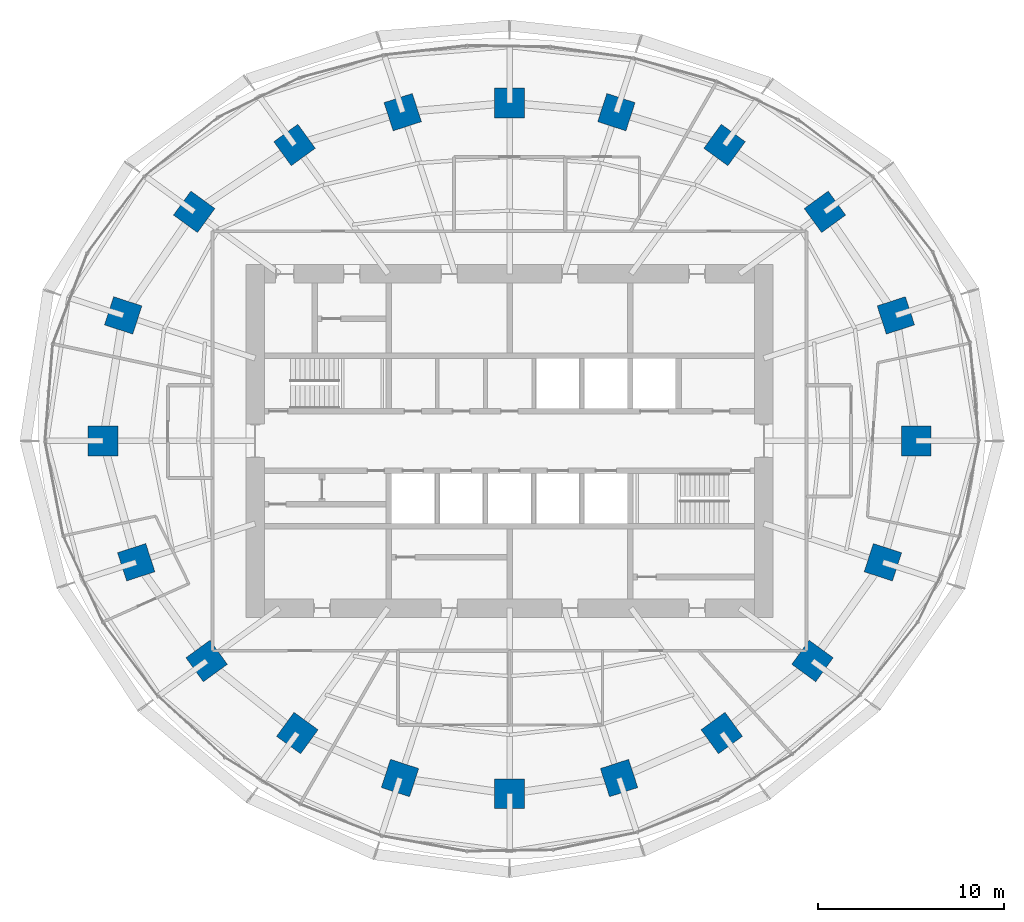
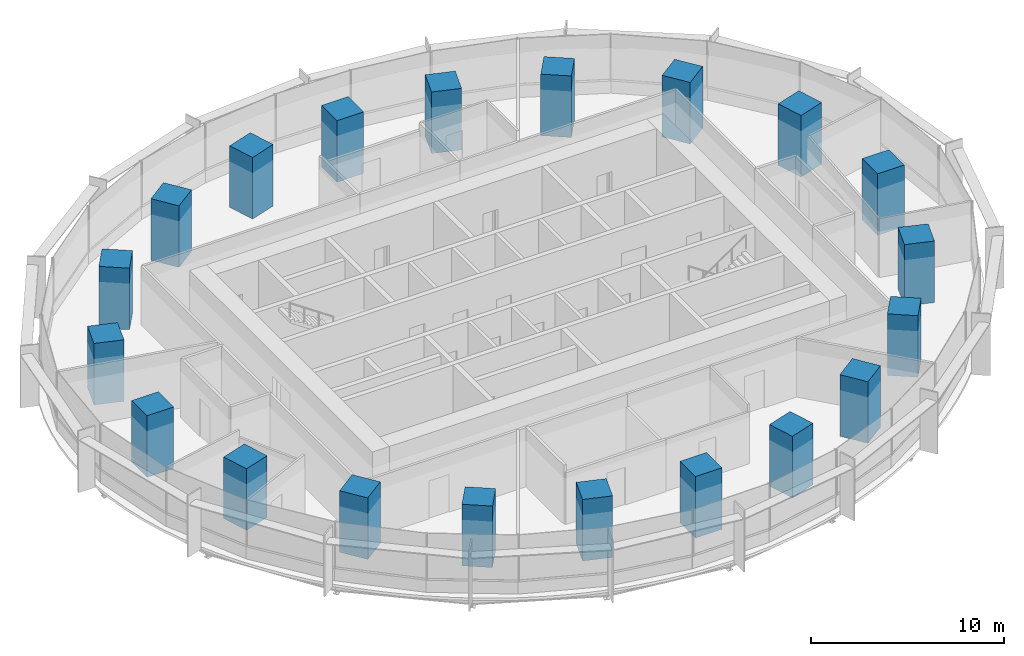
# One storey, part 1 of 14: 20 columns.
"""IFC4 building model written with IfcOpenShell, lengths in metres."""

import ifcopenshell
import ifcopenshell.guid

model = None  # the IFC model being written
_history = None  # IfcOwnerHistory: only IFC2X3 demands one
_inside = {}  # id of a spatial element -> (the spatial element, [elements in it])
_under = {}  # id of a project, library or spatial element -> (it, [spatial elements below it])
_declared = {}  # id of a project -> (the project, [libraries it declares])
_typed = {}  # id of a type object -> (the type object, [elements of that type])
_made_of = {}  # id of a material, layer set ... -> (it, [elements and type objects made of it])


def new_model(schema):
    """Start an empty IFC model of exactly this schema.

    Asked for "IFC4X3", IfcOpenShell would pick the latest addendum, in which some entities
    have other attributes; the version numbers below select the first issue.
    IFC2X3 requires an IfcOwnerHistory on every rooted entity: one is made here for all.
    """
    global model, _history
    if schema == "IFC4X3":
        model = ifcopenshell.file(schema_version=(4, 3, 0, 0))
    else:
        model = ifcopenshell.file(schema=schema)
    _inside.clear()
    _under.clear()
    _declared.clear()
    _typed.clear()
    _made_of.clear()
    _history = None
    if model.schema == "IFC2X3":
        org = make("IfcOrganization", Name="unknown")
        user = make(
            "IfcPersonAndOrganization",
            ThePerson=make("IfcPerson", FamilyName="unknown"),
            TheOrganization=org,
        )
        app = make(
            "IfcApplication",
            ApplicationDeveloper=org,
            Version="unknown",
            ApplicationFullName="unknown",
            ApplicationIdentifier="unknown",
        )
        _history = make(
            "IfcOwnerHistory",
            OwningUser=user,
            OwningApplication=app,
            ChangeAction="ADDED",
            CreationDate=0,
        )
    return model


def make(cls, **values):
    """One entity of the class cls with the attributes given. An attribute that is None is left unset."""
    return model.create_entity(
        cls, **{name: value for name, value in values.items() if value is not None}
    )


def rooted(cls, **values):
    """An entity with a GlobalId (a new one), such as an element, a storey or a relation."""
    return make(cls, GlobalId=ifcopenshell.guid.new(), OwnerHistory=_history, **values)


def si_unit(unit_type, name, prefix=None):
    """IfcSIUnit, for example si_unit("LENGTHUNIT", "METRE", prefix="MILLI")."""
    return make("IfcSIUnit", UnitType=unit_type, Prefix=prefix, Name=name)


def assignment(units):
    """IfcUnitAssignment: the units of a project."""
    return None if units is None else make("IfcUnitAssignment", Units=units)


def point(xyz):
    """IfcCartesianPoint."""
    return None if xyz is None else make("IfcCartesianPoint", Coordinates=xyz)


def direction(xyz):
    """IfcDirection."""
    return None if xyz is None else make("IfcDirection", DirectionRatios=xyz)


def frame(location, z_axis=None, x_axis=None):
    """IfcAxis2Placement3D, a coordinate frame: its origin and axes. An axis left out is left unset."""
    return make(
        "IfcAxis2Placement3D",
        Location=point(location),
        Axis=direction(z_axis),
        RefDirection=direction(x_axis),
    )


def frame_2d(location, x_axis=None):
    """IfcAxis2Placement2D, a coordinate frame in the plane: its origin and x axis."""
    return make(
        "IfcAxis2Placement2D", Location=point(location), RefDirection=direction(x_axis)
    )


def origin():
    """The frame at (0, 0, 0) with its axes left unset."""
    return frame((0.0, 0.0, 0.0))


def origin_2d():
    """The frame at (0, 0) in the plane with its x axis left unset."""
    return frame_2d((0.0, 0.0))


def place(relative_to, where):
    """IfcLocalPlacement: puts the frame where relative to a parent placement (None: the world)."""
    return make(
        "IfcLocalPlacement", PlacementRelTo=relative_to, RelativePlacement=where
    )


def context(
    kind, dimensions, precision=None, world=None, true_north=None, identifier=None
):
    """IfcGeometricRepresentationContext, for example the 3D "Model" context."""
    return make(
        "IfcGeometricRepresentationContext",
        ContextIdentifier=identifier,
        ContextType=kind,
        CoordinateSpaceDimension=dimensions,
        Precision=precision,
        WorldCoordinateSystem=world,
        TrueNorth=true_north,
    )


def subcontext(parent, identifier, kind, view, scale=None):
    """IfcGeometricRepresentationSubContext, for example "Body" below "Model"."""
    return make(
        "IfcGeometricRepresentationSubContext",
        ContextIdentifier=identifier,
        ContextType=kind,
        ParentContext=parent,
        TargetScale=scale,
        TargetView=view,
    )


def project(units=None, contexts=None):
    """IfcProject with its units and contexts."""
    return rooted(
        "IfcProject",
        Name="project",
        RepresentationContexts=contexts,
        UnitsInContext=assignment(units),
    )


def spatial(cls, under=None, at=None, **own):
    """A site, building, storey or space (cls), placed at a placement, below another one or the project."""
    s = rooted(cls, ObjectPlacement=at, **own)
    if under is not None:
        _under.setdefault(under.id(), (under, []))[1].append(s)
    return s


def profile(cls, at=None, kind="AREA", **sizes):
    """A parametric profile (cls). Its sizes go by their IFC names, for example OverallWidth=200.0."""
    return make(cls, ProfileType=kind, Position=at, **sizes)


def rectangle(**sizes):
    """IfcRectangleProfileDef."""
    return profile("IfcRectangleProfileDef", **sizes)


def extrude(swept, where, along, depth):
    """IfcExtrudedAreaSolid: the profile swept, set in the frame where, extruded along a direction by depth."""
    return make(
        "IfcExtrudedAreaSolid",
        SweptArea=swept,
        Position=where,
        ExtrudedDirection=direction(along),
        Depth=depth,
    )


def shape(context_of_items, identifier, shape_type, items):
    """IfcShapeRepresentation: the items that make up one representation, for example the "Body"."""
    return make(
        "IfcShapeRepresentation",
        ContextOfItems=context_of_items,
        RepresentationIdentifier=identifier,
        RepresentationType=shape_type,
        Items=items,
    )


def material(Name=None, Category=None):
    """IfcMaterial."""
    return make("IfcMaterial", Name=Name, Category=Category)


def material_profile(
    of_material, cross_section, Name=None, Category=None, Priority=None
):
    """IfcMaterialProfile: a cross section and its material."""
    return make(
        "IfcMaterialProfile",
        Name=Name,
        Material=of_material,
        Profile=cross_section,
        Priority=Priority,
        Category=Category,
    )


def profile_set(profiles, Name=None, composite=None):
    """IfcMaterialProfileSet."""
    return make(
        "IfcMaterialProfileSet",
        Name=Name,
        MaterialProfiles=profiles,
        CompositeProfile=composite,
    )


def made_of(thing, what):
    """Note that an element or type object is made of a material, layer set ...; save() writes the relation."""
    if what is not None:
        _made_of.setdefault(what.id(), (what, []))[1].append(thing)
    return thing


def type_object(cls, material=None, **own):
    """A type object (cls), such as IfcWallType, which elements share."""
    return made_of(rooted(cls, **own), material)


def element(
    cls,
    number,
    at=None,
    inside=None,
    cuts=None,
    type_object=None,
    material=None,
    context=None,
    identifier="Body",
    shape_type=None,
    held_by="IfcProductDefinitionShape",
    body=None,
    shapes=None,
    **own,
):
    """One element of the class cls, such as IfcWall. Its Tag is "e" and its number.

    at: its placement. inside: the storey or other place that contains it. cuts: it is an
    opening in that element (IfcRelVoidsElement). A single representation is given by context,
    identifier, shape_type and body (its items); several are given by shapes. held_by: the class
    of the entity that holds the representations. save() writes the other relations.
    """
    e = rooted(cls, Tag="e%d" % number, ObjectPlacement=at, **own)
    if body is not None:
        shapes = [shape(context, identifier, shape_type, body)]
    if shapes is not None:
        e.Representation = make(held_by, Representations=shapes)
    if inside is not None:
        _inside.setdefault(inside.id(), (inside, []))[1].append(e)
    if cuts is not None:
        rooted(
            "IfcRelVoidsElement", RelatingBuildingElement=cuts, RelatedOpeningElement=e
        )
    if type_object is not None:
        _typed.setdefault(type_object.id(), (type_object, []))[1].append(e)
    return made_of(e, material)


def aggregate(whole, parts):
    """IfcRelAggregates: a whole, such as a stair, and the parts it consists of."""
    return rooted("IfcRelAggregates", RelatingObject=whole, RelatedObjects=parts)


def save(model, path):
    """Write the relations noted so far, then the file.

    IfcRelAggregates (storeys below a building ...), IfcRelContainedInSpatialStructure (elements
    in a storey), IfcRelDefinesByType, IfcRelAssociatesMaterial and IfcRelDeclares: one each for
    every whole, place, type object, material and project.
    """
    for whole, parts in _under.values():
        aggregate(whole, parts)
    for where, things in _inside.values():
        rooted(
            "IfcRelContainedInSpatialStructure",
            RelatedElements=things,
            RelatingStructure=where,
        )
    for kind, things in _typed.values():
        rooted("IfcRelDefinesByType", RelatedObjects=things, RelatingType=kind)
    for what, things in _made_of.values():
        rooted("IfcRelAssociatesMaterial", RelatedObjects=things, RelatingMaterial=what)
    for by, libraries in _declared.values():
        rooted("IfcRelDeclares", RelatingContext=by, RelatedDefinitions=libraries)
    model.write(path)


model = new_model("IFC4")

# Units and contexts
model_context = context("Model", 3, precision=1e-05, world=origin(), true_north=direction((0.0, 1.0)))
body_context = subcontext(model_context, "Body", "Model", "MODEL_VIEW")
ifc_project = project(units=[si_unit("LENGTHUNIT", "METRE"), si_unit("AREAUNIT", "SQUARE_METRE"), si_unit("VOLUMEUNIT", "CUBIC_METRE"), si_unit("PLANEANGLEUNIT", "RADIAN"), si_unit("MASSUNIT", "GRAM", prefix="KILO")], contexts=[model_context])

# Site, building, storey
site_placement = place(None, origin())
site = spatial("IfcSite", under=ifc_project, at=site_placement, CompositionType="ELEMENT")
building_placement = place(site_placement, origin())
building = spatial("IfcBuilding", under=site, at=building_placement, Name="Marramba Exchange Tower", CompositionType="ELEMENT")
storey_placement = place(building_placement, frame((0.0, 0.0, 115.800048828125)))
storey = spatial("IfcBuildingStorey", under=building, at=storey_placement, Name="L27", CompositionType="ELEMENT", Elevation=115.800048828125)

# Columns
ifc_material = material(Name="Concrete N50", Category="concrete")
ifc_material_profile = material_profile(ifc_material, rectangle(XDim=1.60009765625, YDim=1.60009765625, at=origin_2d()), Name="RC 1600x1600")
ifc_profile_set = profile_set([ifc_material_profile], Name="Concrete N50")
column_type = type_object("IfcColumnType", Name="Perimeter column RC 1600x1600 N50", PredefinedType="COLUMN", material=ifc_profile_set)
for number, where, z_axis, x_axis, name in (
    (1, (21.89990234375, 0.0, 0.0), (0.0, 0.0, 1.0), (1.0, 0.0, 0.0), "Column TC01 L27"),
    (2, (20.808349609375, 6.760986328125, 0.0), (0.0, 0.0, 1.0), (0.951056516295, 0.309016994375, 0.0), "Column TC02 L27"),
    (3, (16.98583984375, 12.3408203125, 0.0), (0.0, 0.0, 1.0), (0.809016994375, 0.587785252292, 0.0), "Column TC03 L27"),
    (4, (11.581298828125, 15.9404296875, 0.0), (0.0, 0.0, 1.0), (0.587785252292, 0.809016994375, 0.0), "Column TC04 L27"),
    (5, (5.75390625, 17.70849609375, 0.0), (0.0, 0.0, 1.0), (0.309016994375, 0.951056516295, 0.0), "Column TC05 L27"),
    (6, (0.0, 18.2041015625, 0.0), (0.0, 0.0, 1.0), (0.0, 1.0, 0.0), "Column TC06 L27"),
    (7, (-5.75390625, 17.70849609375, 0.0), (0.0, 0.0, 1.0), (-0.309016994375, 0.951056516295, 0.0), "Column TC07 L27"),
    (8, (-11.581298828125, 15.9404296875, 0.0), (0.0, 0.0, 1.0), (-0.587785252292, 0.809016994375, 0.0), "Column TC08 L27"),
    (9, (-16.98583984375, 12.3408203125, 0.0), (0.0, 0.0, 1.0), (-0.809016994375, 0.587785252292, 0.0), "Column TC09 L27"),
    (10, (-20.808349609375, 6.760986328125, 0.0), (0.0, 0.0, 1.0), (-0.951056516295, 0.309016994375, 0.0), "Column TC10 L27"),
    (11, (-21.89990234375, 0.0, 0.0), (0.0, 0.0, 1.0), (-1.0, 0.0, 0.0), "Column TC11 L27"),
    (12, (-20.109375, -6.533935546875, 0.0), (0.0, 0.0, 1.0), (-0.951056516295, -0.309016994375, 0.0), "Column TC12 L27"),
    (13, (-16.3154296875, -11.853759765625, 0.0), (0.0, 0.0, 1.0), (-0.809016994375, -0.587785252292, 0.0), "Column TC13 L27"),
    (14, (-11.430419921875, -15.732666015625, 0.0), (0.0, 0.0, 1.0), (-0.587785252292, -0.809016994375, 0.0), "Column TC14 L27"),
    (15, (-5.899658203125, -18.156982421875, 0.0), (0.0, 0.0, 1.0), (-0.309016994375, -0.951056516295, 0.0), "Column TC15 L27"),
    (16, (0.0, -18.99609375, 0.0), (0.0, 0.0, 1.0), (0.0, -1.0, 0.0), "Column TC16 L27"),
    (17, (5.899658203125, -18.156982421875, 0.0), (0.0, 0.0, 1.0), (0.309016994375, -0.951056516295, 0.0), "Column TC17 L27"),
    (18, (11.430419921875, -15.732666015625, 0.0), (0.0, 0.0, 1.0), (0.587785252292, -0.809016994375, 0.0), "Column TC18 L27"),
    (19, (16.3154296875, -11.853759765625, 0.0), (0.0, 0.0, 1.0), (0.809016994375, -0.587785252292, 0.0), "Column TC19 L27"),
    (20, (20.109375, -6.533935546875, 0.0), (0.0, 0.0, 1.0), (0.951056516295, -0.309016994375, 0.0), "Column TC20 L27"),
):
    element("IfcColumn", number, at=place(storey_placement, frame(where, z_axis=z_axis, x_axis=x_axis)), inside=storey, type_object=column_type, Name=name, PredefinedType="COLUMN", context=body_context, shape_type="SweptSolid", body=[
        extrude(rectangle(XDim=1.60009765625, YDim=1.60009765625, at=origin_2d()), origin(), (0.0, 0.0, 1.0), 3.89990234375),
    ])

save(model, "model.ifc")
